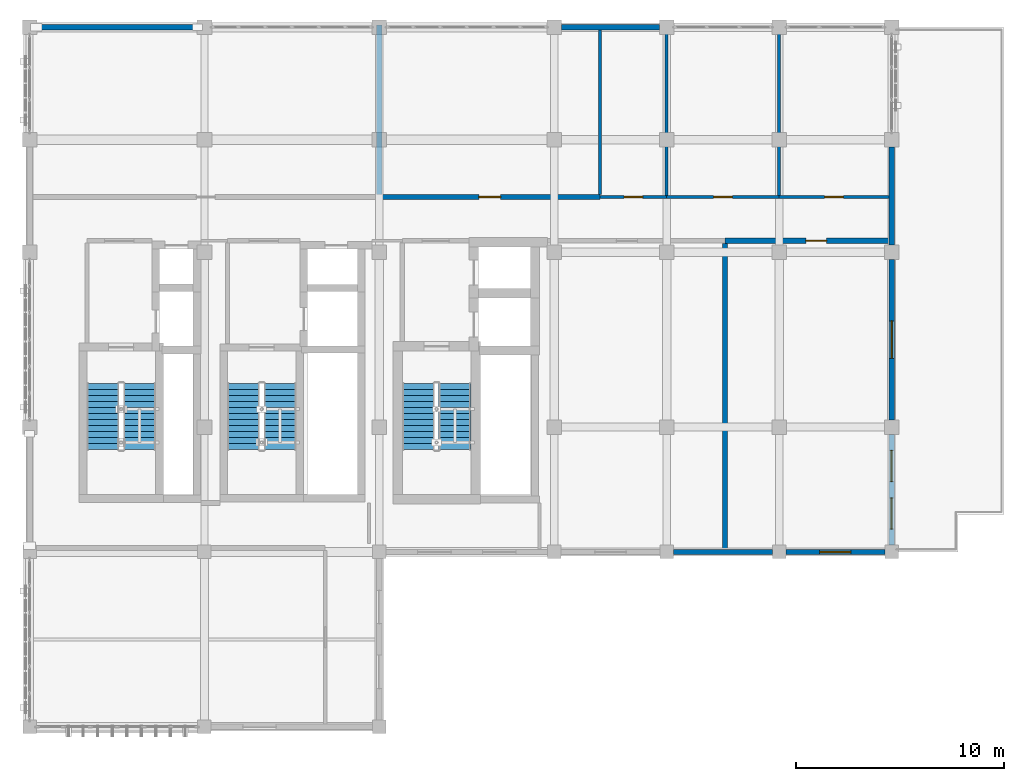
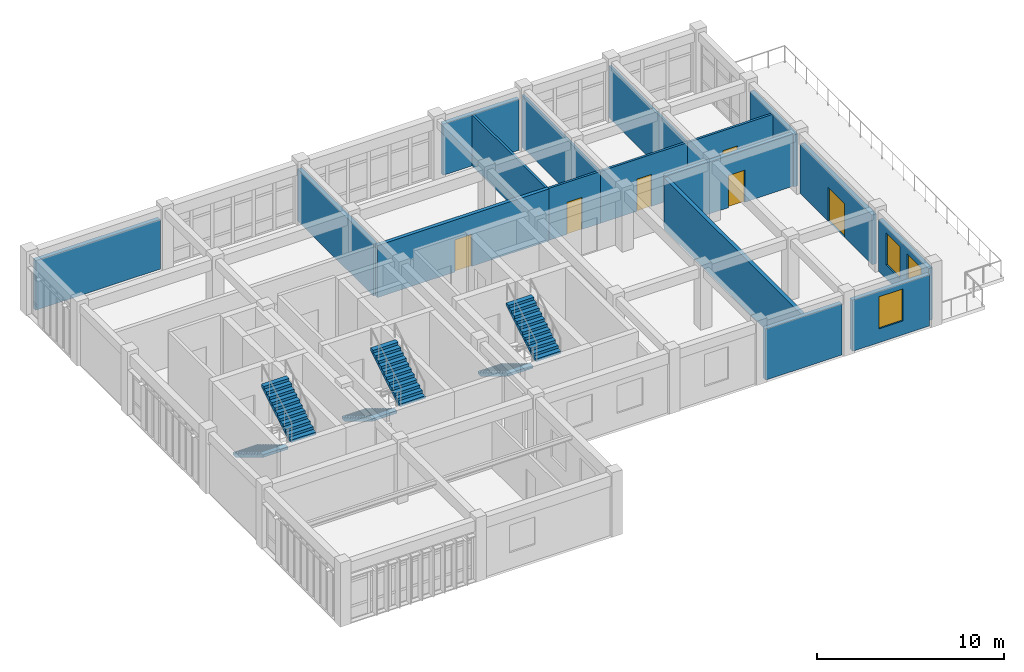
# One storey, part 20 of 22: 17 walls, 6 doors, 6 stair flights, 3 windows, 9 openings, 3 elements without a shape of their own.
"""IFC4 building model written with IfcOpenShell, lengths in metres."""

from ifc_helpers import new_model, si_unit, direction, frame, frame_2d, origin, place, context, subcontext, project, spatial, polyline, rectangle, outline, extrude, material, layer, layer_set, type_object, element, fill, aggregate, save


model = new_model("IFC4")

# Units and contexts
model_context = context("Model", 3, precision=1e-05, world=origin(), true_north=direction((0.0, 1.0)))
body_context = subcontext(model_context, "Body", "Model", "MODEL_VIEW")
ifc_project = project(units=[si_unit("LENGTHUNIT", "METRE"), si_unit("AREAUNIT", "SQUARE_METRE"), si_unit("VOLUMEUNIT", "CUBIC_METRE"), si_unit("PLANEANGLEUNIT", "RADIAN"), si_unit("MASSUNIT", "GRAM", prefix="KILO")], contexts=[model_context])

# Site, building, storey
site_placement = place(None, origin())
site = spatial("IfcSite", under=ifc_project, at=site_placement, CompositionType="ELEMENT")
building_placement = place(site_placement, origin())
building = spatial("IfcBuilding", under=site, at=building_placement, Name="Krzemoval Escarpment Law Courts", CompositionType="ELEMENT")
storey_placement = place(building_placement, frame((0.0, 0.0, 29.39990234375)))
storey = spatial("IfcBuildingStorey", under=building, at=storey_placement, Name="L06", CompositionType="ELEMENT", Elevation=29.39990234375)

# Walls
ifc_material_1 = material(Name="Precast concrete C40/50", Category="concrete")
ifc_layer_1 = layer(ifc_material_1, 0.260009765625)
ifc_layer_set_1 = layer_set([ifc_layer_1], Name="Precast concrete C40/50")
wall_type_1 = type_object("IfcWallType", Name="WL-EXT-260", PredefinedType="SOLIDWALL", material=ifc_layer_set_1)
wall_1_placement = place(storey_placement, frame((126.35009765625, 118.800048828125, 0.0), z_axis=(0.0, 0.0, 1.0), x_axis=(1.0, 0.0, 0.0)))
element("IfcWall", 1, at=wall_1_placement, inside=storey, type_object=wall_type_1, Name="Exterior Wall EW-L06-0444", PredefinedType="SOLIDWALL", context=body_context, shape_type="SweptSolid", body=[
    extrude(rectangle(XDim=7.699951171875, YDim=0.260009765625, at=frame_2d((3.85009765625, 0.0))), origin(), (0.0, 0.0, 1.0), 3.25),
])
wall_2_placement = place(storey_placement, frame((151.550048828125, 118.800048828125, 0.0), z_axis=(0.0, 0.0, 1.0), x_axis=(1.0, 0.0, 0.0)))
element("IfcWall", 2, at=wall_2_placement, inside=storey, type_object=wall_type_1, Name="Exterior Wall EW-L06-0445", PredefinedType="SOLIDWALL", context=body_context, shape_type="SweptSolid", body=[
    extrude(rectangle(XDim=4.699951171875, YDim=0.260009765625, at=frame_2d((2.35009765625, 0.0))), origin(), (0.0, 0.0, 1.0), 3.35009765625),
])
wall_3_placement = place(storey_placement, frame((167.39990234375, 113.050048828125, 0.0), z_axis=(0.0, 0.0, 1.0), x_axis=(0.0, -1.0, 0.0)))
element("IfcWall", 3, at=wall_3_placement, inside=storey, type_object=wall_type_1, Name="Exterior Wall EW-L06-0446", PredefinedType="SOLIDWALL", context=body_context, shape_type="SweptSolid", body=[
    extrude(rectangle(XDim=4.699951171875, YDim=0.260009765625, at=frame_2d((2.35009765625, 0.0))), origin(), (0.0, 0.0, 1.0), 3.400146484375),
])

# Wall, opening, door
wall_4_placement = place(storey_placement, frame((167.39990234375, 107.64990234375, 0.0), z_axis=(0.0, 0.0, 1.0), x_axis=(0.0, -1.0, 0.0)))
wall_4 = element("IfcWall", 4, at=wall_4_placement, inside=storey, type_object=wall_type_1, Name="Exterior Wall EW-L06-0447", PredefinedType="SOLIDWALL", context=body_context, shape_type="SweptSolid", body=[
    extrude(rectangle(XDim=7.699951171875, YDim=0.260009765625, at=frame_2d((3.85009765625, 0.0))), origin(), (0.0, 0.0, 1.0), 3.25),
])
opening_1_placement = place(wall_4_placement, frame((2.949951171875, 0.0, 0.0)))
opening_1 = element("IfcOpeningElement", 5, at=opening_1_placement, cuts=wall_4, Name="Opening TD-L06-24", PredefinedType="OPENING", context=body_context, shape_type="SweptSolid", body=[
    extrude(rectangle(XDim=1.800048828125, YDim=2.199951171875, at=frame_2d((0.89990234375, 1.10009765625))), frame((0.0, 0.145, 0.0), z_axis=(0.0, -1.0, 0.0), x_axis=(1.0, 0.0, 0.0)), (0.0, 0.0, 1.0), 0.29001),
])
ifc_material_2 = material(Name="Thermally Broken Aluminium and Laminated Safety Glass", Category="aluminium")
door_type_1 = type_object("IfcDoorType", Name="DR-TER-1800x2200", OperationType="SINGLE_SWING_LEFT", PredefinedType="DOOR", material=ifc_material_2)
door_1_placement = place(opening_1_placement, origin())
door_1 = element("IfcDoor", 6, at=door_1_placement, inside=storey, type_object=door_type_1, Name="Terrace Access Door TD-L06-24", OperationType="DOUBLE_DOOR_SINGLE_SWING", OverallHeight=2.199951171875, OverallWidth=1.800048828125, PredefinedType="DOOR", context=body_context, shape_type="SweptSolid", body=[
    extrude(rectangle(XDim=1.800048828125, YDim=2.199951171875, at=frame_2d((0.89990234375, 1.10009765625))), frame((0.0, 0.02490234375, 0.0), z_axis=(0.0, -1.0, 0.0), x_axis=(1.0, 0.0, 0.0)), (0.0, 0.0, 1.0), 0.050048828125),
])
fill(opening_1, door_1)

# Wall, openings, windows
wall_5_placement = place(storey_placement, frame((167.39990234375, 99.25, 0.0), z_axis=(0.0, 0.0, 1.0), x_axis=(0.0, -1.0, 0.0)))
wall_5 = element("IfcWall", 7, at=wall_5_placement, inside=storey, type_object=wall_type_1, Name="Exterior Wall EW-L06-0448", PredefinedType="SOLIDWALL", context=body_context, shape_type="SweptSolid", body=[
    extrude(rectangle(XDim=5.324951171875, YDim=0.260009765625, at=frame_2d((2.66259765625, 0.0))), origin(), (0.0, 0.0, 1.0), 3.400146484375),
])
opening_2_placement = place(wall_5_placement, frame((0.77490234375, 0.0, 0.89990234375)))
opening_2 = element("IfcOpeningElement", 8, at=opening_2_placement, cuts=wall_5, Name="Opening WN-L06-0527", PredefinedType="OPENING", context=body_context, shape_type="SweptSolid", body=[
    extrude(rectangle(XDim=1.5, YDim=2.10009765625, at=frame_2d((0.75, 1.050048828125))), frame((0.0, 0.145, 0.0), z_axis=(0.0, -1.0, 0.0), x_axis=(1.0, 0.0, 0.0)), (0.0, 0.0, 1.0), 0.29001),
])
opening_3_placement = place(wall_5_placement, frame((3.050048828125, 0.0, 0.89990234375)))
opening_3 = element("IfcOpeningElement", 9, at=opening_3_placement, cuts=wall_5, Name="Opening WN-L06-0528", PredefinedType="OPENING", context=body_context, shape_type="SweptSolid", body=[
    extrude(rectangle(XDim=1.5, YDim=2.10009765625, at=frame_2d((0.75, 1.050048828125))), frame((0.0, 0.145, 0.0), z_axis=(0.0, -1.0, 0.0), x_axis=(1.0, 0.0, 0.0)), (0.0, 0.0, 1.0), 0.29001),
])
ifc_material_3 = material(Name="Thermally Broken Aluminium Frame with Triple Low-E Acoustic Glass", Category="aluminium")
window_type = type_object("IfcWindowType", Name="WN-1500x2100", PartitioningType="SINGLE_PANEL", PredefinedType="WINDOW", material=ifc_material_3)
window_1_placement = place(opening_2_placement, origin())
window_1 = element("IfcWindow", 10, at=window_1_placement, inside=storey, type_object=window_type, Name="Facade Window WN-L06-0527", OverallHeight=2.10009765625, OverallWidth=1.5, PartitioningType="SINGLE_PANEL", PredefinedType="WINDOW", context=body_context, shape_type="SweptSolid", body=[
    extrude(rectangle(XDim=1.5, YDim=2.10009765625, at=frame_2d((0.75, 1.050048828125))), frame((0.0, 0.030029296875, 0.0), z_axis=(0.0, -1.0, 0.0), x_axis=(1.0, 0.0, 0.0)), (0.0, 0.0, 1.0), 0.06005859375),
])
fill(opening_2, window_1)
window_2_placement = place(opening_3_placement, origin())
window_2 = element("IfcWindow", 11, at=window_2_placement, inside=storey, type_object=window_type, Name="Facade Window WN-L06-0528", OverallHeight=2.10009765625, OverallWidth=1.5, PartitioningType="SINGLE_PANEL", PredefinedType="WINDOW", context=body_context, shape_type="SweptSolid", body=[
    extrude(rectangle(XDim=1.5, YDim=2.10009765625, at=frame_2d((0.75, 1.050048828125))), frame((0.0, 0.030029296875, 0.0), z_axis=(0.0, -1.0, 0.0), x_axis=(1.0, 0.0, 0.0)), (0.0, 0.0, 1.0), 0.06005859375),
])
fill(opening_3, window_2)

# Wall, opening, window
wall_6_placement = place(storey_placement, frame((167.074951171875, 93.60009765625, 0.0), z_axis=(0.0, 0.0, 1.0), x_axis=(-1.0, 0.0, 0.0)))
wall_6 = element("IfcWall", 12, at=wall_6_placement, inside=storey, type_object=wall_type_1, Name="Exterior Wall EW-L06-0449", PredefinedType="SOLIDWALL", context=body_context, shape_type="SweptSolid", body=[
    extrude(rectangle(XDim=4.75, YDim=0.260009765625, at=frame_2d((2.375, 0.0))), origin(), (0.0, 0.0, 1.0), 3.35009765625),
])
opening_4_placement = place(wall_6_placement, frame((1.625, 0.0, 0.89990234375)))
opening_4 = element("IfcOpeningElement", 13, at=opening_4_placement, cuts=wall_6, Name="Opening WN-L06-0529", PredefinedType="OPENING", context=body_context, shape_type="SweptSolid", body=[
    extrude(rectangle(XDim=1.5, YDim=2.10009765625, at=frame_2d((0.75, 1.050048828125))), frame((0.0, 0.145, 0.0), z_axis=(0.0, -1.0, 0.0), x_axis=(1.0, 0.0, 0.0)), (0.0, 0.0, 1.0), 0.29001),
])
window_3_placement = place(opening_4_placement, origin())
window_3 = element("IfcWindow", 14, at=window_3_placement, inside=storey, type_object=window_type, Name="Facade Window WN-L06-0529", OverallHeight=2.10009765625, OverallWidth=1.5, PartitioningType="SINGLE_PANEL", PredefinedType="WINDOW", context=body_context, shape_type="SweptSolid", body=[
    extrude(rectangle(XDim=1.5, YDim=2.10009765625, at=frame_2d((0.75, 1.050048828125))), frame((0.0, 0.030029296875, 0.0), z_axis=(0.0, -1.0, 0.0), x_axis=(1.0, 0.0, 0.0)), (0.0, 0.0, 1.0), 0.06005859375),
])
fill(opening_4, window_3)

# Wall
wall_7_placement = place(storey_placement, frame((161.675048828125, 93.60009765625, 0.0), z_axis=(0.0, 0.0, 1.0), x_axis=(-1.0, 0.0, 0.0)))
element("IfcWall", 15, at=wall_7_placement, inside=storey, type_object=wall_type_1, Name="Exterior Wall EW-L06-0450", PredefinedType="SOLIDWALL", context=body_context, shape_type="SweptSolid", body=[
    extrude(rectangle(XDim=4.75, YDim=0.260009765625, at=frame_2d((2.375, 0.0))), origin(), (0.0, 0.0, 1.0), 3.35009765625),
])

# Wall, opening, door
ifc_material_4 = material(Name="Sanitary Moisture-Resistant Partition", Category="gypsum")
ifc_layer_2 = layer(ifc_material_4, 0.139892578125)
ifc_layer_set_2 = layer_set([ifc_layer_2], Name="Sanitary Moisture-Resistant Partition")
wall_type_2 = type_object("IfcWallType", Name="WL-PRT-140", PredefinedType="PARTITIONING", material=ifc_layer_set_2)
wall_8_placement = place(storey_placement, frame((153.39990234375, 110.64990234375, 0.0), z_axis=(0.0, 0.0, 1.0), x_axis=(1.0, 0.0, 0.0)))
wall_8 = element("IfcWall", 16, at=wall_8_placement, inside=storey, type_object=wall_type_2, Name="Interior Partition PW-L06-0679", PredefinedType="PARTITIONING", context=body_context, shape_type="SweptSolid", body=[
    extrude(rectangle(XDim=3.2001953125, YDim=0.139892578125, at=frame_2d((1.60009765625, 0.0))), origin(), (0.0, 0.0, 1.0), 3.400146484375),
])
opening_5_placement = place(wall_8_placement, frame((1.14990234375, 0.0, 0.0)))
opening_5 = element("IfcOpeningElement", 17, at=opening_5_placement, cuts=wall_8, Name="Opening D-L06-0235", PredefinedType="OPENING", context=body_context, shape_type="SweptSolid", body=[
    extrude(rectangle(XDim=0.89990234375, YDim=2.10009765625, at=frame_2d((0.449951171875, 1.050048828125))), frame((0.0, 0.08495, 0.0), z_axis=(0.0, -1.0, 0.0), x_axis=(1.0, 0.0, 0.0)), (0.0, 0.0, 1.0), 0.16989),
])
ifc_material_5 = material(Name="Engineered Solid-Core Oak Acoustic Timber", Category="wood")
door_type_2 = type_object("IfcDoorType", Name="DR-INT-900x2100", OperationType="SINGLE_SWING_LEFT", PredefinedType="DOOR", material=ifc_material_5)
door_2_placement = place(opening_5_placement, origin())
door_2 = element("IfcDoor", 18, at=door_2_placement, inside=storey, type_object=door_type_2, Name="Room Door D-L06-0235", OperationType="SINGLE_SWING_RIGHT", OverallHeight=2.10009765625, OverallWidth=0.89990234375, PredefinedType="DOOR", context=body_context, shape_type="SweptSolid", body=[
    extrude(rectangle(XDim=0.89990234375, YDim=2.10009765625, at=frame_2d((0.449951171875, 1.050048828125))), frame((0.0, 0.02490234375, 0.0), z_axis=(0.0, -1.0, 0.0), x_axis=(1.0, 0.0, 0.0)), (0.0, 0.0, 1.0), 0.050048828125),
])
fill(opening_5, door_2)

wall_9_placement = place(storey_placement, frame((156.60009765625, 110.64990234375, 0.0), z_axis=(0.0, 0.0, 1.0), x_axis=(1.0, 0.0, 0.0)))
wall_9 = element("IfcWall", 19, at=wall_9_placement, inside=storey, type_object=wall_type_2, Name="Interior Partition PW-L06-0680", PredefinedType="PARTITIONING", context=body_context, shape_type="SweptSolid", body=[
    extrude(rectangle(XDim=5.39990234375, YDim=0.139892578125, at=frame_2d((2.699951171875, 0.0))), origin(), (0.0, 0.0, 1.0), 3.400146484375),
])
opening_6_placement = place(wall_9_placement, frame((2.25, 0.0, 0.0)))
opening_6 = element("IfcOpeningElement", 20, at=opening_6_placement, cuts=wall_9, Name="Opening D-L06-0236", PredefinedType="OPENING", context=body_context, shape_type="SweptSolid", body=[
    extrude(rectangle(XDim=0.89990234375, YDim=2.10009765625, at=frame_2d((0.449951171875, 1.050048828125))), frame((0.0, 0.08495, 0.0), z_axis=(0.0, -1.0, 0.0), x_axis=(1.0, 0.0, 0.0)), (0.0, 0.0, 1.0), 0.16989),
])
door_3_placement = place(opening_6_placement, origin())
door_3 = element("IfcDoor", 21, at=door_3_placement, inside=storey, type_object=door_type_2, Name="Room Door D-L06-0236", OperationType="SINGLE_SWING_LEFT", OverallHeight=2.10009765625, OverallWidth=0.89990234375, PredefinedType="DOOR", context=body_context, shape_type="SweptSolid", body=[
    extrude(rectangle(XDim=0.89990234375, YDim=2.10009765625, at=frame_2d((0.449951171875, 1.050048828125))), frame((0.0, 0.02490234375, 0.0), z_axis=(0.0, -1.0, 0.0), x_axis=(1.0, 0.0, 0.0)), (0.0, 0.0, 1.0), 0.050048828125),
])
fill(opening_6, door_3)

wall_10_placement = place(storey_placement, frame((162.0, 110.64990234375, 0.0), z_axis=(0.0, 0.0, 1.0), x_axis=(1.0, 0.0, 0.0)))
wall_10 = element("IfcWall", 22, at=wall_10_placement, inside=storey, type_object=wall_type_2, Name="Interior Partition PW-L06-0681", PredefinedType="PARTITIONING", context=body_context, shape_type="SweptSolid", body=[
    extrude(rectangle(XDim=5.26806640625, YDim=0.139892578125, at=frame_2d((2.634033203125, 0.0))), origin(), (0.0, 0.0, 1.0), 3.400146484375),
])
opening_7_placement = place(wall_10_placement, frame((2.18408203125, 0.0, 0.0)))
opening_7 = element("IfcOpeningElement", 23, at=opening_7_placement, cuts=wall_10, Name="Opening D-L06-0237", PredefinedType="OPENING", context=body_context, shape_type="SweptSolid", body=[
    extrude(rectangle(XDim=0.89990234375, YDim=2.10009765625, at=frame_2d((0.449951171875, 1.050048828125))), frame((0.0, 0.08495, 0.0), z_axis=(0.0, -1.0, 0.0), x_axis=(1.0, 0.0, 0.0)), (0.0, 0.0, 1.0), 0.16989),
])
door_4_placement = place(opening_7_placement, origin())
door_4 = element("IfcDoor", 24, at=door_4_placement, inside=storey, type_object=door_type_2, Name="Room Door D-L06-0237", OperationType="SINGLE_SWING_RIGHT", OverallHeight=2.10009765625, OverallWidth=0.89990234375, PredefinedType="DOOR", context=body_context, shape_type="SweptSolid", body=[
    extrude(rectangle(XDim=0.89990234375, YDim=2.10009765625, at=frame_2d((0.449951171875, 1.050048828125))), frame((0.0, 0.02490234375, 0.0), z_axis=(0.0, -1.0, 0.0), x_axis=(1.0, 0.0, 0.0)), (0.0, 0.0, 1.0), 0.050048828125),
])
fill(opening_7, door_4)

# Walls
wall_11_placement = place(storey_placement, frame((153.39990234375, 110.761962890625, 0.0), z_axis=(0.0, 0.0, 1.0), x_axis=(0.0, 1.0, 0.0)))
element("IfcWall", 25, at=wall_11_placement, inside=storey, type_object=wall_type_2, Name="Interior Partition PW-L06-0689", PredefinedType="PARTITIONING", context=body_context, shape_type="SweptSolid", body=[
    extrude(rectangle(XDim=7.906005859375, YDim=0.139892578125, at=frame_2d((3.953125, 0.0))), origin(), (0.0, 0.0, 1.0), 3.35009765625),
])
wall_12_placement = place(storey_placement, frame((156.60009765625, 110.721923828125, 0.0), z_axis=(0.0, 0.0, 1.0), x_axis=(0.0, 1.0, 0.0)))
element("IfcWall", 26, at=wall_12_placement, inside=storey, type_object=wall_type_2, Name="Interior Partition PW-L06-0690", PredefinedType="PARTITIONING", context=body_context, shape_type="SweptSolid", body=[
    extrude(rectangle(XDim=8.156005859375, YDim=0.139892578125, at=frame_2d((4.078125, 0.0))), origin(), (0.0, 0.0, 1.0), 3.400146484375),
])
wall_13_placement = place(storey_placement, frame((162.0, 110.721923828125, 0.0), z_axis=(0.0, 0.0, 1.0), x_axis=(0.0, 1.0, 0.0)))
element("IfcWall", 27, at=wall_13_placement, inside=storey, type_object=wall_type_2, Name="Interior Partition PW-L06-0692", PredefinedType="PARTITIONING", context=body_context, shape_type="SweptSolid", body=[
    extrude(rectangle(XDim=8.176025390625, YDim=0.139892578125, at=frame_2d((4.087890625, 0.0))), origin(), (0.0, 0.0, 1.0), 3.400146484375),
])

# Wall, opening, door
ifc_material_6 = material(Name="Solid Calcium-Silicate Custody Blockwork Partition", Category="masonry")
ifc_layer_3 = layer(ifc_material_6, 0.219970703125)
ifc_layer_set_3 = layer_set([ifc_layer_3], Name="Solid Calcium-Silicate Custody Blockwork Partition")
wall_type_3 = type_object("IfcWallType", Name="WL-PRT-220", PredefinedType="PARTITIONING", material=ifc_layer_set_3)
wall_14_placement = place(storey_placement, frame((142.800048828125, 110.64990234375, 0.0), z_axis=(0.0, 0.0, 1.0), x_axis=(1.0, 0.0, 0.0)))
wall_14 = element("IfcWall", 28, at=wall_14_placement, inside=storey, type_object=wall_type_3, Name="Interior Partition PW-L06-0678", PredefinedType="PARTITIONING", context=body_context, shape_type="SweptSolid", body=[
    extrude(rectangle(XDim=10.599853515625, YDim=0.219970703125, at=frame_2d((5.2998046875, 0.0))), origin(), (0.0, 0.0, 1.0), 3.400146484375),
])
opening_8_placement = place(wall_14_placement, frame((4.77490234375, 0.0, 0.0)))
opening_8 = element("IfcOpeningElement", 29, at=opening_8_placement, cuts=wall_14, Name="Opening D-L06-0234", PredefinedType="OPENING", context=body_context, shape_type="SweptSolid", body=[
    extrude(rectangle(XDim=1.050048828125, YDim=2.10009765625, at=frame_2d((0.52490234375, 1.050048828125))), frame((0.0, 0.12499, 0.0), z_axis=(0.0, -1.0, 0.0), x_axis=(1.0, 0.0, 0.0)), (0.0, 0.0, 1.0), 0.24997),
])
ifc_material_7 = material(Name="Engineered Solid-Core Oak Acoustic Timber", Category="wood")
door_type_3 = type_object("IfcDoorType", Name="DR-INT-1050x2100", OperationType="SINGLE_SWING_LEFT", PredefinedType="DOOR", material=ifc_material_7)
door_5_placement = place(opening_8_placement, origin())
door_5 = element("IfcDoor", 30, at=door_5_placement, inside=storey, type_object=door_type_3, Name="Room Door D-L06-0234", OperationType="SINGLE_SWING_LEFT", OverallHeight=2.10009765625, OverallWidth=1.050048828125, PredefinedType="DOOR", context=body_context, shape_type="SweptSolid", body=[
    extrude(rectangle(XDim=1.050048828125, YDim=2.10009765625, at=frame_2d((0.52490234375, 1.050048828125))), frame((0.0, 0.02490234375, 0.0), z_axis=(0.0, -1.0, 0.0), x_axis=(1.0, 0.0, 0.0)), (0.0, 0.0, 1.0), 0.050048828125),
])
fill(opening_8, door_5)

# Wall
ifc_material_8 = material(Name="Acoustic Calcium-Silicate Block Wall", Category="masonry")
ifc_layer_4 = layer(ifc_material_8, 0.22998046875)
ifc_layer_set_4 = layer_set([ifc_layer_4], Name="Acoustic Calcium-Silicate Block Wall")
wall_type_4 = type_object("IfcWallType", Name="WL-PRT-230", PredefinedType="SOLIDWALL", material=ifc_layer_set_4)
wall_15_placement = place(storey_placement, frame((159.39990234375, 93.73193359375, 0.0), z_axis=(0.0, 0.0, 1.0), x_axis=(0.0, 1.0, 0.0)))
element("IfcWall", 31, at=wall_15_placement, inside=storey, type_object=wall_type_4, Name="Interior Partition PW-L06-0691", PredefinedType="SOLIDWALL", context=body_context, shape_type="SweptSolid", body=[
    extrude(rectangle(XDim=14.68603515625, YDim=0.22998046875, at=frame_2d((7.343017578125, 0.0))), origin(), (0.0, 0.0, 1.0), 3.35009765625),
])

# Wall, opening, door
ifc_material_9 = material(Name="Acoustic Double-Stud Gypsum and Mineral Wool Wall", Category="gypsum")
ifc_layer_5 = layer(ifc_material_9, 0.260009765625)
ifc_layer_set_5 = layer_set([ifc_layer_5], Name="Acoustic Double-Stud Gypsum and Mineral Wool Wall")
wall_type_5 = type_object("IfcWallType", Name="WL-PRT-260", PredefinedType="PARTITIONING", material=ifc_layer_set_5)
wall_16_placement = place(storey_placement, frame((159.39990234375, 108.550048828125, 0.0), z_axis=(0.0, 0.0, 1.0), x_axis=(1.0, 0.0, 0.0)))
wall_16 = element("IfcWall", 32, at=wall_16_placement, inside=storey, type_object=wall_type_5, Name="Interior Partition PW-L06-0676", PredefinedType="PARTITIONING", context=body_context, shape_type="SweptSolid", body=[
    extrude(rectangle(XDim=7.8681640625, YDim=0.260009765625, at=frame_2d((3.93408203125, 0.0))), origin(), (0.0, 0.0, 1.0), 3.400146484375),
])
opening_9_placement = place(wall_16_placement, frame((3.884033203125, 0.0, 0.0)))
opening_9 = element("IfcOpeningElement", 33, at=opening_9_placement, cuts=wall_16, Name="Opening D-L06-0239", PredefinedType="OPENING", context=body_context, shape_type="SweptSolid", body=[
    extrude(rectangle(XDim=1.0, YDim=2.10009765625, at=frame_2d((0.5, 1.050048828125))), frame((0.0, 0.145, 0.0), z_axis=(0.0, -1.0, 0.0), x_axis=(1.0, 0.0, 0.0)), (0.0, 0.0, 1.0), 0.29001),
])
ifc_material_10 = material(Name="Engineered Solid-Core Oak Acoustic Timber", Category="wood")
door_type_4 = type_object("IfcDoorType", Name="DR-INT-1000x2100", OperationType="SINGLE_SWING_LEFT", PredefinedType="DOOR", material=ifc_material_10)
door_6_placement = place(opening_9_placement, origin())
door_6 = element("IfcDoor", 34, at=door_6_placement, inside=storey, type_object=door_type_4, Name="Room Door D-L06-0239", OperationType="SINGLE_SWING_RIGHT", OverallHeight=2.10009765625, OverallWidth=1.0, PredefinedType="DOOR", context=body_context, shape_type="SweptSolid", body=[
    extrude(rectangle(XDim=1.0, YDim=2.10009765625, at=frame_2d((0.5, 1.050048828125))), frame((0.0, 0.02490234375, 0.0), z_axis=(0.0, -1.0, 0.0), x_axis=(1.0, 0.0, 0.0)), (0.0, 0.0, 1.0), 0.050048828125),
])
fill(opening_9, door_6)

# Wall
wall_17_placement = place(storey_placement, frame((142.800048828125, 110.77197265625, 0.0), z_axis=(0.0, 0.0, 1.0), x_axis=(0.0, 1.0, 0.0)))
element("IfcWall", 35, at=wall_17_placement, inside=storey, type_object=wall_type_5, Name="Interior Partition PW-L06-0686", PredefinedType="PARTITIONING", context=body_context, shape_type="SweptSolid", body=[
    extrude(rectangle(XDim=8.1259765625, YDim=0.260009765625, at=frame_2d((4.06298828125, 0.0))), origin(), (0.0, 0.0, 1.0), 3.400146484375),
])

# Stair, stair flights
ifc_material_11 = material(Name="Concrete C40/50", Category="concrete")
stair_type = type_object("IfcStairType", Name="STR-CORE-1550", PredefinedType="HALF_TURN_STAIR", material=ifc_material_11)
stair_1_placement = place(storey_placement, origin())
stair_1 = element("IfcStair", 36, at=stair_1_placement, inside=storey, type_object=stair_type, Name="L06 ST1", PredefinedType="HALF_TURN_STAIR")
ifc_material_12 = material(Name="Concrete C40/50", Category="concrete")
stair_flight_type = type_object("IfcStairFlightType", Name="STF-CORE-1550", PredefinedType="STRAIGHT", material=ifc_material_12)
stair_flight_1_placement = place(storey_placement, frame((129.52490234375, 101.699951171875, 0.0), z_axis=(0.0, 0.0, 1.0), x_axis=(0.0, -1.0, 0.0)))
stair_flight_1 = element("IfcStairFlight", 37, at=stair_flight_1_placement, type_object=stair_flight_type, Name="ST1 flight 1", NumberOfRisers=12, NumberOfTreads=11, PredefinedType="STRAIGHT", RiserHeight=0.175, TreadLength=0.29, context=body_context, shape_type="SweptSolid", body=[
    extrude(outline(polyline([(0.0, 0.0), (0.0, 0.175048828125), (0.2900390625, 0.175048828125), (0.2900390625, 0.35009765625), (0.580078125, 0.35009765625), (0.580078125, 0.52490234375), (0.8701171875, 0.52490234375), (0.8701171875, 0.699951171875), (1.159912109375, 0.699951171875), (1.159912109375, 0.875), (1.449951171875, 0.875), (1.449951171875, 1.050048828125), (1.739990234375, 1.050048828125), (1.739990234375, 1.22509765625), (2.030029296875, 1.22509765625), (2.030029296875, 1.39990234375), (2.320068359375, 1.39990234375), (2.320068359375, 1.574951171875), (2.610107421875, 1.574951171875), (2.610107421875, 1.75), (2.89990234375, 1.75), (2.89990234375, 1.925048828125), (3.18994140625, 1.925048828125), (3.18994140625, 2.10009765625), (3.18994140625, 1.75), (0.2900390625, 0.0), (0.0, 0.0)])), frame((0.0, 0.77490234375, 0.0), z_axis=(0.0, -1.0, 0.0), x_axis=(1.0, 0.0, 0.0)), (0.0, 0.0, 1.0), 1.550048828125),
])
stair_flight_2_placement = place(storey_placement, frame((131.27490234375, 98.510009765625, 2.10009765625), z_axis=(0.0, 0.0, 1.0), x_axis=(0.0, 1.0, 0.0)))
stair_flight_2 = element("IfcStairFlight", 38, at=stair_flight_2_placement, type_object=stair_flight_type, Name="ST1 flight 2", NumberOfRisers=12, NumberOfTreads=11, PredefinedType="STRAIGHT", RiserHeight=0.175, TreadLength=0.29, context=body_context, shape_type="SweptSolid", body=[
    extrude(outline(polyline([(0.0, 0.0), (0.0, 0.175048828125), (0.2900390625, 0.175048828125), (0.2900390625, 0.35009765625), (0.580078125, 0.35009765625), (0.580078125, 0.52490234375), (0.8701171875, 0.52490234375), (0.8701171875, 0.699951171875), (1.159912109375, 0.699951171875), (1.159912109375, 0.875), (1.449951171875, 0.875), (1.449951171875, 1.050048828125), (1.739990234375, 1.050048828125), (1.739990234375, 1.22509765625), (2.030029296875, 1.22509765625), (2.030029296875, 1.39990234375), (2.320068359375, 1.39990234375), (2.320068359375, 1.574951171875), (2.610107421875, 1.574951171875), (2.610107421875, 1.75), (2.89990234375, 1.75), (2.89990234375, 1.925048828125), (3.18994140625, 1.925048828125), (3.18994140625, 2.10009765625), (3.18994140625, 1.75), (0.2900390625, 0.0), (0.0, 0.0)])), frame((0.0, 0.77490234375, 0.0), z_axis=(0.0, -1.0, 0.0), x_axis=(1.0, 0.0, 0.0)), (0.0, 0.0, 1.0), 1.550048828125),
])
aggregate(stair_1, [stair_flight_1, stair_flight_2])

stair_2_placement = place(storey_placement, origin())
stair_2 = element("IfcStair", 39, at=stair_2_placement, inside=storey, type_object=stair_type, Name="L06 ST2", PredefinedType="HALF_TURN_STAIR")
stair_flight_3_placement = place(storey_placement, frame((136.27490234375, 101.699951171875, 0.0), z_axis=(0.0, 0.0, 1.0), x_axis=(0.0, -1.0, 0.0)))
stair_flight_3 = element("IfcStairFlight", 40, at=stair_flight_3_placement, type_object=stair_flight_type, Name="ST2 flight 1", NumberOfRisers=12, NumberOfTreads=11, PredefinedType="STRAIGHT", RiserHeight=0.175, TreadLength=0.29, context=body_context, shape_type="SweptSolid", body=[
    extrude(outline(polyline([(0.0, 0.0), (0.0, 0.175048828125), (0.2900390625, 0.175048828125), (0.2900390625, 0.35009765625), (0.580078125, 0.35009765625), (0.580078125, 0.52490234375), (0.8701171875, 0.52490234375), (0.8701171875, 0.699951171875), (1.159912109375, 0.699951171875), (1.159912109375, 0.875), (1.449951171875, 0.875), (1.449951171875, 1.050048828125), (1.739990234375, 1.050048828125), (1.739990234375, 1.22509765625), (2.030029296875, 1.22509765625), (2.030029296875, 1.39990234375), (2.320068359375, 1.39990234375), (2.320068359375, 1.574951171875), (2.610107421875, 1.574951171875), (2.610107421875, 1.75), (2.89990234375, 1.75), (2.89990234375, 1.925048828125), (3.18994140625, 1.925048828125), (3.18994140625, 2.10009765625), (3.18994140625, 1.75), (0.2900390625, 0.0), (0.0, 0.0)])), frame((0.0, 0.77490234375, 0.0), z_axis=(0.0, -1.0, 0.0), x_axis=(1.0, 0.0, 0.0)), (0.0, 0.0, 1.0), 1.550048828125),
])
stair_flight_4_placement = place(storey_placement, frame((138.02490234375, 98.510009765625, 2.10009765625), z_axis=(0.0, 0.0, 1.0), x_axis=(0.0, 1.0, 0.0)))
stair_flight_4 = element("IfcStairFlight", 41, at=stair_flight_4_placement, type_object=stair_flight_type, Name="ST2 flight 2", NumberOfRisers=12, NumberOfTreads=11, PredefinedType="STRAIGHT", RiserHeight=0.175, TreadLength=0.29, context=body_context, shape_type="SweptSolid", body=[
    extrude(outline(polyline([(0.0, 0.0), (0.0, 0.175048828125), (0.2900390625, 0.175048828125), (0.2900390625, 0.35009765625), (0.580078125, 0.35009765625), (0.580078125, 0.52490234375), (0.8701171875, 0.52490234375), (0.8701171875, 0.699951171875), (1.159912109375, 0.699951171875), (1.159912109375, 0.875), (1.449951171875, 0.875), (1.449951171875, 1.050048828125), (1.739990234375, 1.050048828125), (1.739990234375, 1.22509765625), (2.030029296875, 1.22509765625), (2.030029296875, 1.39990234375), (2.320068359375, 1.39990234375), (2.320068359375, 1.574951171875), (2.610107421875, 1.574951171875), (2.610107421875, 1.75), (2.89990234375, 1.75), (2.89990234375, 1.925048828125), (3.18994140625, 1.925048828125), (3.18994140625, 2.10009765625), (3.18994140625, 1.75), (0.2900390625, 0.0), (0.0, 0.0)])), frame((0.0, 0.77490234375, 0.0), z_axis=(0.0, -1.0, 0.0), x_axis=(1.0, 0.0, 0.0)), (0.0, 0.0, 1.0), 1.550048828125),
])
aggregate(stair_2, [stair_flight_3, stair_flight_4])

stair_3_placement = place(storey_placement, origin())
stair_3 = element("IfcStair", 42, at=stair_3_placement, inside=storey, type_object=stair_type, Name="L06 ST3", PredefinedType="HALF_TURN_STAIR")
stair_flight_5_placement = place(storey_placement, frame((144.675048828125, 101.699951171875, 0.0), z_axis=(0.0, 0.0, 1.0), x_axis=(0.0, -1.0, 0.0)))
stair_flight_5 = element("IfcStairFlight", 43, at=stair_flight_5_placement, type_object=stair_flight_type, Name="ST3 flight 1", NumberOfRisers=12, NumberOfTreads=11, PredefinedType="STRAIGHT", RiserHeight=0.175, TreadLength=0.29, context=body_context, shape_type="SweptSolid", body=[
    extrude(outline(polyline([(0.0, 0.0), (0.0, 0.175048828125), (0.2900390625, 0.175048828125), (0.2900390625, 0.35009765625), (0.580078125, 0.35009765625), (0.580078125, 0.52490234375), (0.8701171875, 0.52490234375), (0.8701171875, 0.699951171875), (1.159912109375, 0.699951171875), (1.159912109375, 0.875), (1.449951171875, 0.875), (1.449951171875, 1.050048828125), (1.739990234375, 1.050048828125), (1.739990234375, 1.22509765625), (2.030029296875, 1.22509765625), (2.030029296875, 1.39990234375), (2.320068359375, 1.39990234375), (2.320068359375, 1.574951171875), (2.610107421875, 1.574951171875), (2.610107421875, 1.75), (2.89990234375, 1.75), (2.89990234375, 1.925048828125), (3.18994140625, 1.925048828125), (3.18994140625, 2.10009765625), (3.18994140625, 1.75), (0.2900390625, 0.0), (0.0, 0.0)])), frame((0.0, 0.77490234375, 0.0), z_axis=(0.0, -1.0, 0.0), x_axis=(1.0, 0.0, 0.0)), (0.0, 0.0, 1.0), 1.550048828125),
])
stair_flight_6_placement = place(storey_placement, frame((146.425048828125, 98.510009765625, 2.10009765625), z_axis=(0.0, 0.0, 1.0), x_axis=(0.0, 1.0, 0.0)))
stair_flight_6 = element("IfcStairFlight", 44, at=stair_flight_6_placement, type_object=stair_flight_type, Name="ST3 flight 2", NumberOfRisers=12, NumberOfTreads=11, PredefinedType="STRAIGHT", RiserHeight=0.175, TreadLength=0.29, context=body_context, shape_type="SweptSolid", body=[
    extrude(outline(polyline([(0.0, 0.0), (0.0, 0.175048828125), (0.2900390625, 0.175048828125), (0.2900390625, 0.35009765625), (0.580078125, 0.35009765625), (0.580078125, 0.52490234375), (0.8701171875, 0.52490234375), (0.8701171875, 0.699951171875), (1.159912109375, 0.699951171875), (1.159912109375, 0.875), (1.449951171875, 0.875), (1.449951171875, 1.050048828125), (1.739990234375, 1.050048828125), (1.739990234375, 1.22509765625), (2.030029296875, 1.22509765625), (2.030029296875, 1.39990234375), (2.320068359375, 1.39990234375), (2.320068359375, 1.574951171875), (2.610107421875, 1.574951171875), (2.610107421875, 1.75), (2.89990234375, 1.75), (2.89990234375, 1.925048828125), (3.18994140625, 1.925048828125), (3.18994140625, 2.10009765625), (3.18994140625, 1.75), (0.2900390625, 0.0), (0.0, 0.0)])), frame((0.0, 0.77490234375, 0.0), z_axis=(0.0, -1.0, 0.0), x_axis=(1.0, 0.0, 0.0)), (0.0, 0.0, 1.0), 1.550048828125),
])
aggregate(stair_3, [stair_flight_5, stair_flight_6])

save(model, "model.ifc")
